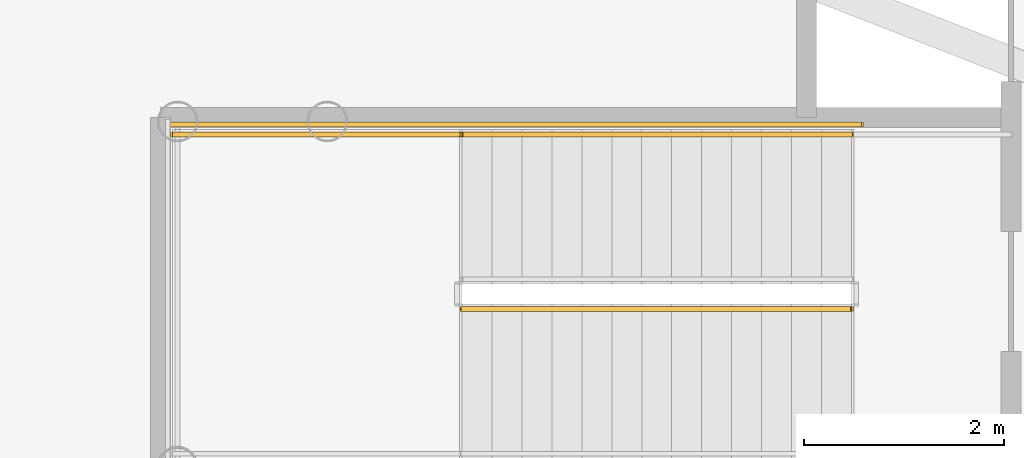
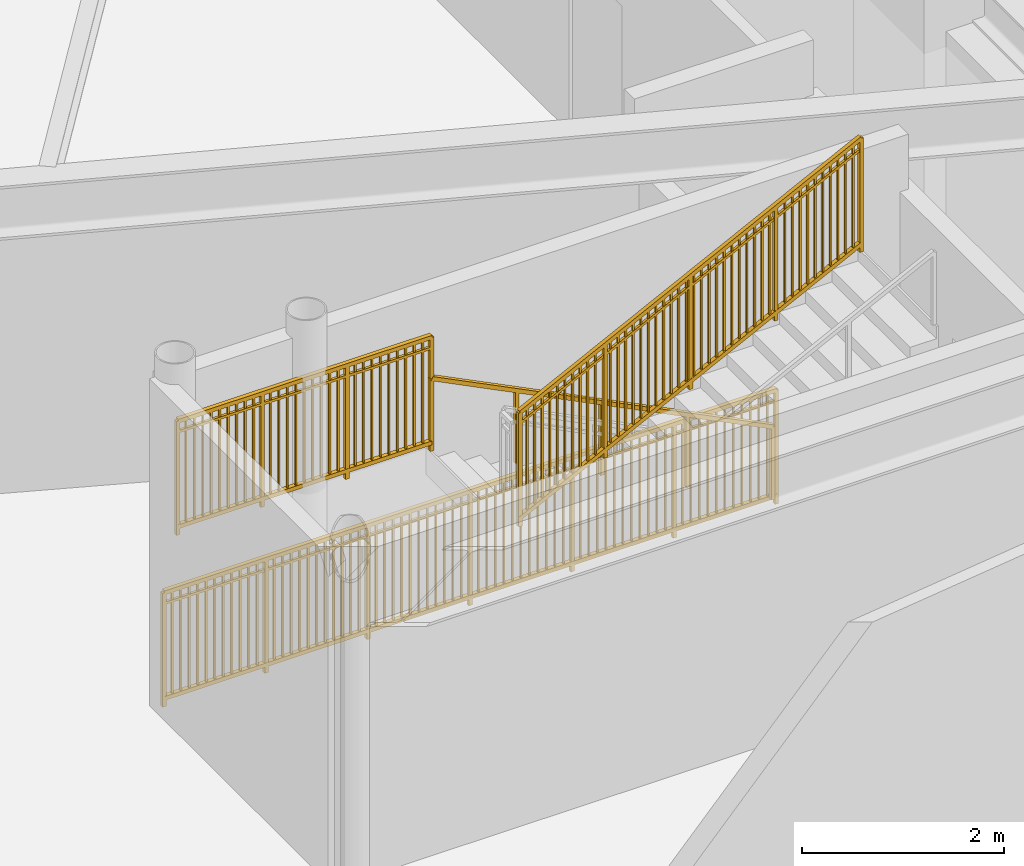
# One storey, part 20 of 29: 4 railings.
"""IFC4 building model written with IfcOpenShell, lengths in metres."""

import ifcopenshell
import ifcopenshell.guid

model = None  # the IFC model being written
_history = None  # IfcOwnerHistory: only IFC2X3 demands one
_inside = {}  # id of a spatial element -> (the spatial element, [elements in it])
_under = {}  # id of a project, library or spatial element -> (it, [spatial elements below it])
_declared = {}  # id of a project -> (the project, [libraries it declares])
_typed = {}  # id of a type object -> (the type object, [elements of that type])
_made_of = {}  # id of a material, layer set ... -> (it, [elements and type objects made of it])


def new_model(schema):
    """Start an empty IFC model of exactly this schema.

    Asked for "IFC4X3", IfcOpenShell would pick the latest addendum, in which some entities
    have other attributes; the version numbers below select the first issue.
    IFC2X3 requires an IfcOwnerHistory on every rooted entity: one is made here for all.
    """
    global model, _history
    if schema == "IFC4X3":
        model = ifcopenshell.file(schema_version=(4, 3, 0, 0))
    else:
        model = ifcopenshell.file(schema=schema)
    _inside.clear()
    _under.clear()
    _declared.clear()
    _typed.clear()
    _made_of.clear()
    _history = None
    if model.schema == "IFC2X3":
        org = make("IfcOrganization", Name="unknown")
        user = make(
            "IfcPersonAndOrganization",
            ThePerson=make("IfcPerson", FamilyName="unknown"),
            TheOrganization=org,
        )
        app = make(
            "IfcApplication",
            ApplicationDeveloper=org,
            Version="unknown",
            ApplicationFullName="unknown",
            ApplicationIdentifier="unknown",
        )
        _history = make(
            "IfcOwnerHistory",
            OwningUser=user,
            OwningApplication=app,
            ChangeAction="ADDED",
            CreationDate=0,
        )
    return model


def make(cls, **values):
    """One entity of the class cls with the attributes given. An attribute that is None is left unset."""
    return model.create_entity(
        cls, **{name: value for name, value in values.items() if value is not None}
    )


def rooted(cls, **values):
    """An entity with a GlobalId (a new one), such as an element, a storey or a relation."""
    return make(cls, GlobalId=ifcopenshell.guid.new(), OwnerHistory=_history, **values)


def si_unit(unit_type, name, prefix=None):
    """IfcSIUnit, for example si_unit("LENGTHUNIT", "METRE", prefix="MILLI")."""
    return make("IfcSIUnit", UnitType=unit_type, Prefix=prefix, Name=name)


def assignment(units):
    """IfcUnitAssignment: the units of a project."""
    return None if units is None else make("IfcUnitAssignment", Units=units)


def point(xyz):
    """IfcCartesianPoint."""
    return None if xyz is None else make("IfcCartesianPoint", Coordinates=xyz)


def direction(xyz):
    """IfcDirection."""
    return None if xyz is None else make("IfcDirection", DirectionRatios=xyz)


def frame(location, z_axis=None, x_axis=None):
    """IfcAxis2Placement3D, a coordinate frame: its origin and axes. An axis left out is left unset."""
    return make(
        "IfcAxis2Placement3D",
        Location=point(location),
        Axis=direction(z_axis),
        RefDirection=direction(x_axis),
    )


def frame_2d(location, x_axis=None):
    """IfcAxis2Placement2D, a coordinate frame in the plane: its origin and x axis."""
    return make(
        "IfcAxis2Placement2D", Location=point(location), RefDirection=direction(x_axis)
    )


def origin():
    """The frame at (0, 0, 0) with its axes left unset."""
    return frame((0.0, 0.0, 0.0))


def origin_2d():
    """The frame at (0, 0) in the plane with its x axis left unset."""
    return frame_2d((0.0, 0.0))


def place(relative_to, where):
    """IfcLocalPlacement: puts the frame where relative to a parent placement (None: the world)."""
    return make(
        "IfcLocalPlacement", PlacementRelTo=relative_to, RelativePlacement=where
    )


def context(
    kind, dimensions, precision=None, world=None, true_north=None, identifier=None
):
    """IfcGeometricRepresentationContext, for example the 3D "Model" context."""
    return make(
        "IfcGeometricRepresentationContext",
        ContextIdentifier=identifier,
        ContextType=kind,
        CoordinateSpaceDimension=dimensions,
        Precision=precision,
        WorldCoordinateSystem=world,
        TrueNorth=true_north,
    )


def subcontext(parent, identifier, kind, view, scale=None):
    """IfcGeometricRepresentationSubContext, for example "Body" below "Model"."""
    return make(
        "IfcGeometricRepresentationSubContext",
        ContextIdentifier=identifier,
        ContextType=kind,
        ParentContext=parent,
        TargetScale=scale,
        TargetView=view,
    )


def project(units=None, contexts=None):
    """IfcProject with its units and contexts."""
    return rooted(
        "IfcProject",
        Name="project",
        RepresentationContexts=contexts,
        UnitsInContext=assignment(units),
    )


def spatial(cls, under=None, at=None, **own):
    """A site, building, storey or space (cls), placed at a placement, below another one or the project."""
    s = rooted(cls, ObjectPlacement=at, **own)
    if under is not None:
        _under.setdefault(under.id(), (under, []))[1].append(s)
    return s


def profile(cls, at=None, kind="AREA", **sizes):
    """A parametric profile (cls). Its sizes go by their IFC names, for example OverallWidth=200.0."""
    return make(cls, ProfileType=kind, Position=at, **sizes)


def rectangle(**sizes):
    """IfcRectangleProfileDef."""
    return profile("IfcRectangleProfileDef", **sizes)


def extrude(swept, where, along, depth):
    """IfcExtrudedAreaSolid: the profile swept, set in the frame where, extruded along a direction by depth."""
    return make(
        "IfcExtrudedAreaSolid",
        SweptArea=swept,
        Position=where,
        ExtrudedDirection=direction(along),
        Depth=depth,
    )


def shape(context_of_items, identifier, shape_type, items):
    """IfcShapeRepresentation: the items that make up one representation, for example the "Body"."""
    return make(
        "IfcShapeRepresentation",
        ContextOfItems=context_of_items,
        RepresentationIdentifier=identifier,
        RepresentationType=shape_type,
        Items=items,
    )


def source(mapping_origin, context_of_items, identifier, shape_type, items):
    """IfcRepresentationMap: a shape defined once, which mapped items show again and again."""
    return make(
        "IfcRepresentationMap",
        MappingOrigin=mapping_origin,
        MappedRepresentation=shape(context_of_items, identifier, shape_type, items),
    )


def transform(
    local_origin,
    x_axis=None,
    y_axis=None,
    z_axis=None,
    scale=None,
    scale2=None,
    scale3=None,
    uniform=True,
):
    """IfcCartesianTransformationOperator3D, or its non-uniform kind. x_axis, y_axis, z_axis: its Axis1, 2, 3."""
    if uniform:
        return make(
            "IfcCartesianTransformationOperator3D",
            Axis1=direction(x_axis),
            Axis2=direction(y_axis),
            LocalOrigin=point(local_origin),
            Scale=scale,
            Axis3=direction(z_axis),
        )
    return make(
        "IfcCartesianTransformationOperator3DnonUniform",
        Axis1=direction(x_axis),
        Axis2=direction(y_axis),
        LocalOrigin=point(local_origin),
        Scale=scale,
        Axis3=direction(z_axis),
        Scale2=scale2,
        Scale3=scale3,
    )


def mapped(mapping_source, mapping_target):
    """IfcMappedItem: shows the shape of a source again, moved by a transform."""
    return make(
        "IfcMappedItem", MappingSource=mapping_source, MappingTarget=mapping_target
    )


def material(Name=None, Category=None):
    """IfcMaterial."""
    return make("IfcMaterial", Name=Name, Category=Category)


def made_of(thing, what):
    """Note that an element or type object is made of a material, layer set ...; save() writes the relation."""
    if what is not None:
        _made_of.setdefault(what.id(), (what, []))[1].append(thing)
    return thing


def type_object(cls, material=None, **own):
    """A type object (cls), such as IfcWallType, which elements share."""
    return made_of(rooted(cls, **own), material)


def element(
    cls,
    number,
    at=None,
    inside=None,
    cuts=None,
    type_object=None,
    material=None,
    context=None,
    identifier="Body",
    shape_type=None,
    held_by="IfcProductDefinitionShape",
    body=None,
    shapes=None,
    **own,
):
    """One element of the class cls, such as IfcWall. Its Tag is "e" and its number.

    at: its placement. inside: the storey or other place that contains it. cuts: it is an
    opening in that element (IfcRelVoidsElement). A single representation is given by context,
    identifier, shape_type and body (its items); several are given by shapes. held_by: the class
    of the entity that holds the representations. save() writes the other relations.
    """
    e = rooted(cls, Tag="e%d" % number, ObjectPlacement=at, **own)
    if body is not None:
        shapes = [shape(context, identifier, shape_type, body)]
    if shapes is not None:
        e.Representation = make(held_by, Representations=shapes)
    if inside is not None:
        _inside.setdefault(inside.id(), (inside, []))[1].append(e)
    if cuts is not None:
        rooted(
            "IfcRelVoidsElement", RelatingBuildingElement=cuts, RelatedOpeningElement=e
        )
    if type_object is not None:
        _typed.setdefault(type_object.id(), (type_object, []))[1].append(e)
    return made_of(e, material)


def aggregate(whole, parts):
    """IfcRelAggregates: a whole, such as a stair, and the parts it consists of."""
    return rooted("IfcRelAggregates", RelatingObject=whole, RelatedObjects=parts)


def save(model, path):
    """Write the relations noted so far, then the file.

    IfcRelAggregates (storeys below a building ...), IfcRelContainedInSpatialStructure (elements
    in a storey), IfcRelDefinesByType, IfcRelAssociatesMaterial and IfcRelDeclares: one each for
    every whole, place, type object, material and project.
    """
    for whole, parts in _under.values():
        aggregate(whole, parts)
    for where, things in _inside.values():
        rooted(
            "IfcRelContainedInSpatialStructure",
            RelatedElements=things,
            RelatingStructure=where,
        )
    for kind, things in _typed.values():
        rooted("IfcRelDefinesByType", RelatedObjects=things, RelatingType=kind)
    for what, things in _made_of.values():
        rooted("IfcRelAssociatesMaterial", RelatedObjects=things, RelatingMaterial=what)
    for by, libraries in _declared.values():
        rooted("IfcRelDeclares", RelatingContext=by, RelatedDefinitions=libraries)
    model.write(path)


model = new_model("IFC4")

# Units and contexts
model_context = context("Model", 3, precision=1e-05, world=origin(), true_north=direction((0.0, 1.0)))
body_context = subcontext(model_context, "Body", "Model", "MODEL_VIEW")
ifc_project = project(units=[si_unit("LENGTHUNIT", "METRE"), si_unit("AREAUNIT", "SQUARE_METRE"), si_unit("VOLUMEUNIT", "CUBIC_METRE"), si_unit("PLANEANGLEUNIT", "RADIAN"), si_unit("MASSUNIT", "GRAM", prefix="KILO")], contexts=[model_context])

# Site, building, storey
site_placement = place(None, origin())
site = spatial("IfcSite", under=ifc_project, at=site_placement, CompositionType="ELEMENT")
building_placement = place(site_placement, origin())
building = spatial("IfcBuilding", under=site, at=building_placement, Name="Linh Dai School and Residence Tower", CompositionType="ELEMENT")
storey_placement = place(building_placement, frame((0.0, 0.0, 45.0)))
storey = spatial("IfcBuildingStorey", under=building, at=storey_placement, Name="L10", CompositionType="ELEMENT", Elevation=45.0)

# Railings
ifc_material_1 = material(Name="Structural Steel S355JR", Category="steel")
railing_type_1 = type_object("IfcRailingType", Name="RL-ST-GUARD-1400", PredefinedType="GUARDRAIL", material=ifc_material_1)
shared_shape_1 = source(origin(), body_context, "Body", "SweptSolid", [
    extrude(rectangle(XDim=0.048095703125, YDim=0.048095703125, at=origin_2d()), frame((0.0, 0.0, 1.3759765625), z_axis=(-1.0, 0.0, 0.0), x_axis=(0.0, -1.0, 0.0)), (0.0, 0.0, 1.0), 2.89990234375),
    extrude(rectangle(XDim=0.048095703125, YDim=0.048095703125, at=origin_2d()), frame((0.0, 0.0, 0.10009765625), z_axis=(-1.0, 0.0, 0.0), x_axis=(0.0, -1.0, 0.0)), (0.0, 0.0, 1.0), 2.89990234375),
    extrude(rectangle(XDim=0.030029296875, YDim=0.030029296875, at=origin_2d()), frame((0.0, 0.0, 1.239990234375), z_axis=(-1.0, 0.0, 0.0), x_axis=(0.0, -1.0, 0.0)), (0.0, 0.0, 1.0), 2.89990234375),
    extrude(rectangle(XDim=0.02001953125, YDim=0.02001953125, at=origin_2d()), frame((-0.0966796875, 0.0, 0.10009765625)), (0.0, 0.0, 1.0), 1.251708984375),
    extrude(rectangle(XDim=0.02001953125, YDim=0.02001953125, at=origin_2d()), frame((-0.193359375, 0.0, 0.10009765625)), (0.0, 0.0, 1.0), 1.251708984375),
    extrude(rectangle(XDim=0.02001953125, YDim=0.02001953125, at=origin_2d()), frame((-0.2900390625, 0.0, 0.10009765625)), (0.0, 0.0, 1.0), 1.251708984375),
    extrude(rectangle(XDim=0.02001953125, YDim=0.02001953125, at=origin_2d()), frame((-0.38671875, 0.0, 0.10009765625)), (0.0, 0.0, 1.0), 1.251708984375),
    extrude(rectangle(XDim=0.02001953125, YDim=0.02001953125, at=origin_2d()), frame((-0.4833984375, 0.0, 0.10009765625)), (0.0, 0.0, 1.0), 1.251708984375),
    extrude(rectangle(XDim=0.02001953125, YDim=0.02001953125, at=origin_2d()), frame((-0.580078125, 0.0, 0.10009765625)), (0.0, 0.0, 1.0), 1.251708984375),
    extrude(rectangle(XDim=0.02001953125, YDim=0.02001953125, at=origin_2d()), frame((-0.6767578125, 0.0, 0.10009765625)), (0.0, 0.0, 1.0), 1.251708984375),
    extrude(rectangle(XDim=0.02001953125, YDim=0.02001953125, at=origin_2d()), frame((-0.773193359375, 0.0, 0.10009765625)), (0.0, 0.0, 1.0), 1.251708984375),
    extrude(rectangle(XDim=0.02001953125, YDim=0.02001953125, at=origin_2d()), frame((-0.869873046875, 0.0, 0.10009765625)), (0.0, 0.0, 1.0), 1.251708984375),
    extrude(rectangle(XDim=0.02001953125, YDim=0.02001953125, at=origin_2d()), frame((-1.063232421875, 0.0, 0.10009765625)), (0.0, 0.0, 1.0), 1.251708984375),
    extrude(rectangle(XDim=0.02001953125, YDim=0.02001953125, at=origin_2d()), frame((-1.159912109375, 0.0, 0.10009765625)), (0.0, 0.0, 1.0), 1.251708984375),
    extrude(rectangle(XDim=0.02001953125, YDim=0.02001953125, at=origin_2d()), frame((-1.256591796875, 0.0, 0.10009765625)), (0.0, 0.0, 1.0), 1.251708984375),
    extrude(rectangle(XDim=0.02001953125, YDim=0.02001953125, at=origin_2d()), frame((-1.353271484375, 0.0, 0.10009765625)), (0.0, 0.0, 1.0), 1.251708984375),
    extrude(rectangle(XDim=0.02001953125, YDim=0.02001953125, at=origin_2d()), frame((-1.449951171875, 0.0, 0.10009765625)), (0.0, 0.0, 1.0), 1.251708984375),
    extrude(rectangle(XDim=0.02001953125, YDim=0.02001953125, at=origin_2d()), frame((-1.546630859375, 0.0, 0.10009765625)), (0.0, 0.0, 1.0), 1.251708984375),
    extrude(rectangle(XDim=0.02001953125, YDim=0.02001953125, at=origin_2d()), frame((-1.643310546875, 0.0, 0.10009765625)), (0.0, 0.0, 1.0), 1.251708984375),
    extrude(rectangle(XDim=0.02001953125, YDim=0.02001953125, at=origin_2d()), frame((-1.739990234375, 0.0, 0.10009765625)), (0.0, 0.0, 1.0), 1.251708984375),
    extrude(rectangle(XDim=0.02001953125, YDim=0.02001953125, at=origin_2d()), frame((-1.836669921875, 0.0, 0.10009765625)), (0.0, 0.0, 1.0), 1.251708984375),
    extrude(rectangle(XDim=0.02001953125, YDim=0.02001953125, at=origin_2d()), frame((-2.030029296875, 0.0, 0.10009765625)), (0.0, 0.0, 1.0), 1.251708984375),
    extrude(rectangle(XDim=0.02001953125, YDim=0.02001953125, at=origin_2d()), frame((-2.126708984375, 0.0, 0.10009765625)), (0.0, 0.0, 1.0), 1.251708984375),
    extrude(rectangle(XDim=0.02001953125, YDim=0.02001953125, at=origin_2d()), frame((-2.22314453125, 0.0, 0.10009765625)), (0.0, 0.0, 1.0), 1.251708984375),
    extrude(rectangle(XDim=0.02001953125, YDim=0.02001953125, at=origin_2d()), frame((-2.31982421875, 0.0, 0.10009765625)), (0.0, 0.0, 1.0), 1.251708984375),
    extrude(rectangle(XDim=0.02001953125, YDim=0.02001953125, at=origin_2d()), frame((-2.41650390625, 0.0, 0.10009765625)), (0.0, 0.0, 1.0), 1.251708984375),
    extrude(rectangle(XDim=0.02001953125, YDim=0.02001953125, at=origin_2d()), frame((-2.51318359375, 0.0, 0.10009765625)), (0.0, 0.0, 1.0), 1.251708984375),
    extrude(rectangle(XDim=0.02001953125, YDim=0.02001953125, at=origin_2d()), frame((-2.60986328125, 0.0, 0.10009765625)), (0.0, 0.0, 1.0), 1.251708984375),
    extrude(rectangle(XDim=0.02001953125, YDim=0.02001953125, at=origin_2d()), frame((-2.70654296875, 0.0, 0.10009765625)), (0.0, 0.0, 1.0), 1.251708984375),
    extrude(rectangle(XDim=0.02001953125, YDim=0.02001953125, at=origin_2d()), frame((-2.80322265625, 0.0, 0.10009765625)), (0.0, 0.0, 1.0), 1.251708984375),
    extrude(rectangle(XDim=0.0419921875, YDim=0.0419921875, at=origin_2d()), origin(), (0.0, 0.0, 1.0), 1.3759765625),
    extrude(rectangle(XDim=0.0419921875, YDim=0.0419921875, at=origin_2d()), frame((-0.966552734375, 0.0, 0.0)), (0.0, 0.0, 1.0), 1.3759765625),
    extrude(rectangle(XDim=0.0419921875, YDim=0.0419921875, at=origin_2d()), frame((-1.933349609375, 0.0, 0.0)), (0.0, 0.0, 1.0), 1.3759765625),
    extrude(rectangle(XDim=0.0419921875, YDim=0.0419921875, at=origin_2d()), frame((-2.89990234375, 0.0, 0.0)), (0.0, 0.0, 1.0), 1.3759765625),
])
railing_1_placement = place(storey_placement, frame((18.5, 30.949951171875, 2.10009765625)))
element("IfcRailing", 1, at=railing_1_placement, inside=storey, type_object=railing_type_1, Name="L10 STS1 stair guard 3", PredefinedType="GUARDRAIL", context=body_context, shape_type="MappedRepresentation", body=[
    mapped(shared_shape_1, transform((0.0, 0.0, 0.0), x_axis=(1.0, 0.0, 0.0), y_axis=(0.0, 1.0, 0.0), z_axis=(0.0, 0.0, 1.0), scale=1.0)),
])
shared_shape_2 = source(origin(), body_context, "Body", "SweptSolid", [
    extrude(rectangle(XDim=0.048095703125, YDim=0.048095703125, at=origin_2d()), frame((0.0, 0.0, 1.3759765625), z_axis=(0.894427191, 0.0, 0.4472135955), x_axis=(0.0, 1.0, 0.0)), (0.0, 0.0, 1.0), 4.360107421875),
    extrude(rectangle(XDim=0.048095703125, YDim=0.048095703125, at=origin_2d()), frame((0.0, 0.0, 0.10009765625), z_axis=(0.894427191, 0.0, 0.4472135955), x_axis=(0.0, 1.0, 0.0)), (0.0, 0.0, 1.0), 4.360107421875),
    extrude(rectangle(XDim=0.030029296875, YDim=0.030029296875, at=origin_2d()), frame((0.0, 0.0, 1.239990234375), z_axis=(0.894427191, 0.0, 0.4472135955), x_axis=(0.0, 1.0, 0.0)), (0.0, 0.0, 1.0), 4.360107421875),
    extrude(rectangle(XDim=0.02001953125, YDim=0.02001953125, at=origin_2d()), frame((0.086669921875, 0.0, 0.143310546875)), (0.0, 0.0, 1.0), 1.251708984375),
    extrude(rectangle(XDim=0.02001953125, YDim=0.02001953125, at=origin_2d()), frame((0.17333984375, 0.0, 0.186767578125)), (0.0, 0.0, 1.0), 1.251708984375),
    extrude(rectangle(XDim=0.02001953125, YDim=0.02001953125, at=origin_2d()), frame((0.260009765625, 0.0, 0.22998046875)), (0.0, 0.0, 1.0), 1.251708984375),
    extrude(rectangle(XDim=0.02001953125, YDim=0.02001953125, at=origin_2d()), frame((0.3466796875, 0.0, 0.2734375)), (0.0, 0.0, 1.0), 1.251708984375),
    extrude(rectangle(XDim=0.02001953125, YDim=0.02001953125, at=origin_2d()), frame((0.433349609375, 0.0, 0.316650390625)), (0.0, 0.0, 1.0), 1.251708984375),
    extrude(rectangle(XDim=0.02001953125, YDim=0.02001953125, at=origin_2d()), frame((0.52001953125, 0.0, 0.360107421875)), (0.0, 0.0, 1.0), 1.251708984375),
    extrude(rectangle(XDim=0.02001953125, YDim=0.02001953125, at=origin_2d()), frame((0.606689453125, 0.0, 0.4033203125)), (0.0, 0.0, 1.0), 1.251708984375),
    extrude(rectangle(XDim=0.02001953125, YDim=0.02001953125, at=origin_2d()), frame((0.693359375, 0.0, 0.44677734375)), (0.0, 0.0, 1.0), 1.251708984375),
    extrude(rectangle(XDim=0.02001953125, YDim=0.02001953125, at=origin_2d()), frame((0.780029296875, 0.0, 0.489990234375)), (0.0, 0.0, 1.0), 1.251708984375),
    extrude(rectangle(XDim=0.02001953125, YDim=0.02001953125, at=origin_2d()), frame((0.86669921875, 0.0, 0.533447265625)), (0.0, 0.0, 1.0), 1.251708984375),
    extrude(rectangle(XDim=0.02001953125, YDim=0.02001953125, at=origin_2d()), frame((1.0400390625, 0.0, 0.6201171875)), (0.0, 0.0, 1.0), 1.251708984375),
    extrude(rectangle(XDim=0.02001953125, YDim=0.02001953125, at=origin_2d()), frame((1.126708984375, 0.0, 0.663330078125)), (0.0, 0.0, 1.0), 1.251708984375),
    extrude(rectangle(XDim=0.02001953125, YDim=0.02001953125, at=origin_2d()), frame((1.21337890625, 0.0, 0.706787109375)), (0.0, 0.0, 1.0), 1.251708984375),
    extrude(rectangle(XDim=0.02001953125, YDim=0.02001953125, at=origin_2d()), frame((1.300048828125, 0.0, 0.75)), (0.0, 0.0, 1.0), 1.251708984375),
    extrude(rectangle(XDim=0.02001953125, YDim=0.02001953125, at=origin_2d()), frame((1.38671875, 0.0, 0.79345703125)), (0.0, 0.0, 1.0), 1.251708984375),
    extrude(rectangle(XDim=0.02001953125, YDim=0.02001953125, at=origin_2d()), frame((1.473388671875, 0.0, 0.836669921875)), (0.0, 0.0, 1.0), 1.251708984375),
    extrude(rectangle(XDim=0.02001953125, YDim=0.02001953125, at=origin_2d()), frame((1.56005859375, 0.0, 0.880126953125)), (0.0, 0.0, 1.0), 1.251708984375),
    extrude(rectangle(XDim=0.02001953125, YDim=0.02001953125, at=origin_2d()), frame((1.646728515625, 0.0, 0.92333984375)), (0.0, 0.0, 1.0), 1.251708984375),
    extrude(rectangle(XDim=0.02001953125, YDim=0.02001953125, at=origin_2d()), frame((1.7333984375, 0.0, 0.966796875)), (0.0, 0.0, 1.0), 1.251708984375),
    extrude(rectangle(XDim=0.02001953125, YDim=0.02001953125, at=origin_2d()), frame((1.820068359375, 0.0, 1.010009765625)), (0.0, 0.0, 1.0), 1.251708984375),
    extrude(rectangle(XDim=0.02001953125, YDim=0.02001953125, at=origin_2d()), frame((1.90673828125, 0.0, 1.053466796875)), (0.0, 0.0, 1.0), 1.251708984375),
    extrude(rectangle(XDim=0.02001953125, YDim=0.02001953125, at=origin_2d()), frame((1.9931640625, 0.0, 1.0966796875)), (0.0, 0.0, 1.0), 1.251708984375),
    extrude(rectangle(XDim=0.02001953125, YDim=0.02001953125, at=origin_2d()), frame((2.079833984375, 0.0, 1.14013671875)), (0.0, 0.0, 1.0), 1.251708984375),
    extrude(rectangle(XDim=0.02001953125, YDim=0.02001953125, at=origin_2d()), frame((2.16650390625, 0.0, 1.183349609375)), (0.0, 0.0, 1.0), 1.251708984375),
    extrude(rectangle(XDim=0.02001953125, YDim=0.02001953125, at=origin_2d()), frame((2.253173828125, 0.0, 1.226806640625)), (0.0, 0.0, 1.0), 1.251708984375),
    extrude(rectangle(XDim=0.02001953125, YDim=0.02001953125, at=origin_2d()), frame((2.33984375, 0.0, 1.27001953125)), (0.0, 0.0, 1.0), 1.251708984375),
    extrude(rectangle(XDim=0.02001953125, YDim=0.02001953125, at=origin_2d()), frame((2.426513671875, 0.0, 1.3134765625)), (0.0, 0.0, 1.0), 1.251708984375),
    extrude(rectangle(XDim=0.02001953125, YDim=0.02001953125, at=origin_2d()), frame((2.51318359375, 0.0, 1.356689453125)), (0.0, 0.0, 1.0), 1.251708984375),
    extrude(rectangle(XDim=0.02001953125, YDim=0.02001953125, at=origin_2d()), frame((2.599853515625, 0.0, 1.400146484375)), (0.0, 0.0, 1.0), 1.251708984375),
    extrude(rectangle(XDim=0.02001953125, YDim=0.02001953125, at=origin_2d()), frame((2.6865234375, 0.0, 1.443359375)), (0.0, 0.0, 1.0), 1.251708984375),
    extrude(rectangle(XDim=0.02001953125, YDim=0.02001953125, at=origin_2d()), frame((2.773193359375, 0.0, 1.48681640625)), (0.0, 0.0, 1.0), 1.251708984375),
    extrude(rectangle(XDim=0.02001953125, YDim=0.02001953125, at=origin_2d()), frame((2.85986328125, 0.0, 1.530029296875)), (0.0, 0.0, 1.0), 1.251708984375),
    extrude(rectangle(XDim=0.02001953125, YDim=0.02001953125, at=origin_2d()), frame((3.033203125, 0.0, 1.61669921875)), (0.0, 0.0, 1.0), 1.251708984375),
    extrude(rectangle(XDim=0.02001953125, YDim=0.02001953125, at=origin_2d()), frame((3.119873046875, 0.0, 1.66015625)), (0.0, 0.0, 1.0), 1.251708984375),
    extrude(rectangle(XDim=0.02001953125, YDim=0.02001953125, at=origin_2d()), frame((3.20654296875, 0.0, 1.703369140625)), (0.0, 0.0, 1.0), 1.251708984375),
    extrude(rectangle(XDim=0.02001953125, YDim=0.02001953125, at=origin_2d()), frame((3.293212890625, 0.0, 1.746826171875)), (0.0, 0.0, 1.0), 1.251708984375),
    extrude(rectangle(XDim=0.02001953125, YDim=0.02001953125, at=origin_2d()), frame((3.3798828125, 0.0, 1.7900390625)), (0.0, 0.0, 1.0), 1.251708984375),
    extrude(rectangle(XDim=0.02001953125, YDim=0.02001953125, at=origin_2d()), frame((3.466552734375, 0.0, 1.83349609375)), (0.0, 0.0, 1.0), 1.251708984375),
    extrude(rectangle(XDim=0.02001953125, YDim=0.02001953125, at=origin_2d()), frame((3.55322265625, 0.0, 1.876708984375)), (0.0, 0.0, 1.0), 1.251708984375),
    extrude(rectangle(XDim=0.02001953125, YDim=0.02001953125, at=origin_2d()), frame((3.639892578125, 0.0, 1.920166015625)), (0.0, 0.0, 1.0), 1.251708984375),
    extrude(rectangle(XDim=0.02001953125, YDim=0.02001953125, at=origin_2d()), frame((3.7265625, 0.0, 1.96337890625)), (0.0, 0.0, 1.0), 1.251708984375),
    extrude(rectangle(XDim=0.02001953125, YDim=0.02001953125, at=origin_2d()), frame((3.813232421875, 0.0, 2.0068359375)), (0.0, 0.0, 1.0), 1.251708984375),
    extrude(rectangle(XDim=0.0419921875, YDim=0.0419921875, at=origin_2d()), origin(), (0.0, 0.0, 1.0), 1.3759765625),
    extrude(rectangle(XDim=0.0419921875, YDim=0.0419921875, at=origin_2d()), frame((0.97509765625, 0.0, 0.487548828125)), (0.0, 0.0, 1.0), 1.3759765625),
    extrude(rectangle(XDim=0.0419921875, YDim=0.0419921875, at=origin_2d()), frame((1.949951171875, 0.0, 0.97509765625)), (0.0, 0.0, 1.0), 1.3759765625),
    extrude(rectangle(XDim=0.0419921875, YDim=0.0419921875, at=origin_2d()), frame((2.9248046875, 0.0, 1.46240234375)), (0.0, 0.0, 1.0), 1.3759765625),
    extrude(rectangle(XDim=0.0419921875, YDim=0.0419921875, at=origin_2d()), frame((3.89990234375, 0.0, 1.949951171875)), (0.0, 0.0, 1.0), 1.3759765625),
])
railing_2_placement = place(storey_placement, frame((18.5, 29.199951171875, 2.25)))
element("IfcRailing", 2, at=railing_2_placement, inside=storey, type_object=railing_type_1, Name="L10 STS1 stair guard 6", PredefinedType="GUARDRAIL", context=body_context, shape_type="MappedRepresentation", body=[
    mapped(shared_shape_2, transform((0.0, 0.0, 0.0), x_axis=(1.0, 0.0, 0.0), y_axis=(0.0, 1.0, 0.0), z_axis=(0.0, 0.0, 1.0), scale=1.0)),
])
shared_shape_3 = source(origin(), body_context, "Body", "SweptSolid", [
    extrude(rectangle(XDim=0.048095703125, YDim=0.048095703125, at=origin_2d()), frame((0.0, 0.0, 1.3759765625), z_axis=(-1.0, 0.0, 0.0), x_axis=(0.0, -1.0, 0.0)), (0.0, 0.0, 1.0), 7.0),
    extrude(rectangle(XDim=0.048095703125, YDim=0.048095703125, at=origin_2d()), frame((0.0, 0.0, 0.10009765625), z_axis=(-1.0, 0.0, 0.0), x_axis=(0.0, -1.0, 0.0)), (0.0, 0.0, 1.0), 7.0),
    extrude(rectangle(XDim=0.030029296875, YDim=0.030029296875, at=origin_2d()), frame((0.0, 0.0, 1.239990234375), z_axis=(-1.0, 0.0, 0.0), x_axis=(0.0, -1.0, 0.0)), (0.0, 0.0, 1.0), 7.0),
    extrude(rectangle(XDim=0.02001953125, YDim=0.02001953125, at=origin_2d()), frame((-0.09716796875, 0.0, 0.10009765625)), (0.0, 0.0, 1.0), 1.251708984375),
    extrude(rectangle(XDim=0.02001953125, YDim=0.02001953125, at=origin_2d()), frame((-0.1943359375, 0.0, 0.10009765625)), (0.0, 0.0, 1.0), 1.251708984375),
    extrude(rectangle(XDim=0.02001953125, YDim=0.02001953125, at=origin_2d()), frame((-0.291748046875, 0.0, 0.10009765625)), (0.0, 0.0, 1.0), 1.251708984375),
    extrude(rectangle(XDim=0.02001953125, YDim=0.02001953125, at=origin_2d()), frame((-0.388916015625, 0.0, 0.10009765625)), (0.0, 0.0, 1.0), 1.251708984375),
    extrude(rectangle(XDim=0.02001953125, YDim=0.02001953125, at=origin_2d()), frame((-0.486083984375, 0.0, 0.10009765625)), (0.0, 0.0, 1.0), 1.251708984375),
    extrude(rectangle(XDim=0.02001953125, YDim=0.02001953125, at=origin_2d()), frame((-0.583251953125, 0.0, 0.10009765625)), (0.0, 0.0, 1.0), 1.251708984375),
    extrude(rectangle(XDim=0.02001953125, YDim=0.02001953125, at=origin_2d()), frame((-0.6806640625, 0.0, 0.10009765625)), (0.0, 0.0, 1.0), 1.251708984375),
    extrude(rectangle(XDim=0.02001953125, YDim=0.02001953125, at=origin_2d()), frame((-0.77783203125, 0.0, 0.10009765625)), (0.0, 0.0, 1.0), 1.251708984375),
    extrude(rectangle(XDim=0.02001953125, YDim=0.02001953125, at=origin_2d()), frame((-0.875, 0.0, 0.10009765625)), (0.0, 0.0, 1.0), 1.251708984375),
    extrude(rectangle(XDim=0.02001953125, YDim=0.02001953125, at=origin_2d()), frame((-0.97216796875, 0.0, 0.10009765625)), (0.0, 0.0, 1.0), 1.251708984375),
    extrude(rectangle(XDim=0.02001953125, YDim=0.02001953125, at=origin_2d()), frame((-1.0693359375, 0.0, 0.10009765625)), (0.0, 0.0, 1.0), 1.251708984375),
    extrude(rectangle(XDim=0.02001953125, YDim=0.02001953125, at=origin_2d()), frame((-1.263916015625, 0.0, 0.10009765625)), (0.0, 0.0, 1.0), 1.251708984375),
    extrude(rectangle(XDim=0.02001953125, YDim=0.02001953125, at=origin_2d()), frame((-1.361083984375, 0.0, 0.10009765625)), (0.0, 0.0, 1.0), 1.251708984375),
    extrude(rectangle(XDim=0.02001953125, YDim=0.02001953125, at=origin_2d()), frame((-1.458251953125, 0.0, 0.10009765625)), (0.0, 0.0, 1.0), 1.251708984375),
    extrude(rectangle(XDim=0.02001953125, YDim=0.02001953125, at=origin_2d()), frame((-1.5556640625, 0.0, 0.10009765625)), (0.0, 0.0, 1.0), 1.251708984375),
    extrude(rectangle(XDim=0.02001953125, YDim=0.02001953125, at=origin_2d()), frame((-1.65283203125, 0.0, 0.10009765625)), (0.0, 0.0, 1.0), 1.251708984375),
    extrude(rectangle(XDim=0.02001953125, YDim=0.02001953125, at=origin_2d()), frame((-1.75, 0.0, 0.10009765625)), (0.0, 0.0, 1.0), 1.251708984375),
    extrude(rectangle(XDim=0.02001953125, YDim=0.02001953125, at=origin_2d()), frame((-1.84716796875, 0.0, 0.10009765625)), (0.0, 0.0, 1.0), 1.251708984375),
    extrude(rectangle(XDim=0.02001953125, YDim=0.02001953125, at=origin_2d()), frame((-1.9443359375, 0.0, 0.10009765625)), (0.0, 0.0, 1.0), 1.251708984375),
    extrude(rectangle(XDim=0.02001953125, YDim=0.02001953125, at=origin_2d()), frame((-2.041748046875, 0.0, 0.10009765625)), (0.0, 0.0, 1.0), 1.251708984375),
    extrude(rectangle(XDim=0.02001953125, YDim=0.02001953125, at=origin_2d()), frame((-2.138916015625, 0.0, 0.10009765625)), (0.0, 0.0, 1.0), 1.251708984375),
    extrude(rectangle(XDim=0.02001953125, YDim=0.02001953125, at=origin_2d()), frame((-2.236083984375, 0.0, 0.10009765625)), (0.0, 0.0, 1.0), 1.251708984375),
    extrude(rectangle(XDim=0.02001953125, YDim=0.02001953125, at=origin_2d()), frame((-2.4306640625, 0.0, 0.10009765625)), (0.0, 0.0, 1.0), 1.251708984375),
    extrude(rectangle(XDim=0.02001953125, YDim=0.02001953125, at=origin_2d()), frame((-2.52783203125, 0.0, 0.10009765625)), (0.0, 0.0, 1.0), 1.251708984375),
    extrude(rectangle(XDim=0.02001953125, YDim=0.02001953125, at=origin_2d()), frame((-2.625, 0.0, 0.10009765625)), (0.0, 0.0, 1.0), 1.251708984375),
    extrude(rectangle(XDim=0.02001953125, YDim=0.02001953125, at=origin_2d()), frame((-2.72216796875, 0.0, 0.10009765625)), (0.0, 0.0, 1.0), 1.251708984375),
    extrude(rectangle(XDim=0.02001953125, YDim=0.02001953125, at=origin_2d()), frame((-2.8193359375, 0.0, 0.10009765625)), (0.0, 0.0, 1.0), 1.251708984375),
    extrude(rectangle(XDim=0.02001953125, YDim=0.02001953125, at=origin_2d()), frame((-2.916748046875, 0.0, 0.10009765625)), (0.0, 0.0, 1.0), 1.251708984375),
    extrude(rectangle(XDim=0.02001953125, YDim=0.02001953125, at=origin_2d()), frame((-3.013916015625, 0.0, 0.10009765625)), (0.0, 0.0, 1.0), 1.251708984375),
    extrude(rectangle(XDim=0.02001953125, YDim=0.02001953125, at=origin_2d()), frame((-3.111083984375, 0.0, 0.10009765625)), (0.0, 0.0, 1.0), 1.251708984375),
    extrude(rectangle(XDim=0.02001953125, YDim=0.02001953125, at=origin_2d()), frame((-3.208251953125, 0.0, 0.10009765625)), (0.0, 0.0, 1.0), 1.251708984375),
    extrude(rectangle(XDim=0.02001953125, YDim=0.02001953125, at=origin_2d()), frame((-3.3056640625, 0.0, 0.10009765625)), (0.0, 0.0, 1.0), 1.251708984375),
    extrude(rectangle(XDim=0.02001953125, YDim=0.02001953125, at=origin_2d()), frame((-3.40283203125, 0.0, 0.10009765625)), (0.0, 0.0, 1.0), 1.251708984375),
    extrude(rectangle(XDim=0.02001953125, YDim=0.02001953125, at=origin_2d()), frame((-3.59716796875, 0.0, 0.10009765625)), (0.0, 0.0, 1.0), 1.251708984375),
    extrude(rectangle(XDim=0.02001953125, YDim=0.02001953125, at=origin_2d()), frame((-3.6943359375, 0.0, 0.10009765625)), (0.0, 0.0, 1.0), 1.251708984375),
    extrude(rectangle(XDim=0.02001953125, YDim=0.02001953125, at=origin_2d()), frame((-3.791748046875, 0.0, 0.10009765625)), (0.0, 0.0, 1.0), 1.251708984375),
    extrude(rectangle(XDim=0.02001953125, YDim=0.02001953125, at=origin_2d()), frame((-3.888916015625, 0.0, 0.10009765625)), (0.0, 0.0, 1.0), 1.251708984375),
    extrude(rectangle(XDim=0.02001953125, YDim=0.02001953125, at=origin_2d()), frame((-3.986083984375, 0.0, 0.10009765625)), (0.0, 0.0, 1.0), 1.251708984375),
    extrude(rectangle(XDim=0.02001953125, YDim=0.02001953125, at=origin_2d()), frame((-4.083251953125, 0.0, 0.10009765625)), (0.0, 0.0, 1.0), 1.251708984375),
    extrude(rectangle(XDim=0.02001953125, YDim=0.02001953125, at=origin_2d()), frame((-4.1806640625, 0.0, 0.10009765625)), (0.0, 0.0, 1.0), 1.251708984375),
    extrude(rectangle(XDim=0.02001953125, YDim=0.02001953125, at=origin_2d()), frame((-4.27783203125, 0.0, 0.10009765625)), (0.0, 0.0, 1.0), 1.251708984375),
    extrude(rectangle(XDim=0.02001953125, YDim=0.02001953125, at=origin_2d()), frame((-4.375, 0.0, 0.10009765625)), (0.0, 0.0, 1.0), 1.251708984375),
    extrude(rectangle(XDim=0.02001953125, YDim=0.02001953125, at=origin_2d()), frame((-4.47216796875, 0.0, 0.10009765625)), (0.0, 0.0, 1.0), 1.251708984375),
    extrude(rectangle(XDim=0.02001953125, YDim=0.02001953125, at=origin_2d()), frame((-4.5693359375, 0.0, 0.10009765625)), (0.0, 0.0, 1.0), 1.251708984375),
    extrude(rectangle(XDim=0.02001953125, YDim=0.02001953125, at=origin_2d()), frame((-4.763916015625, 0.0, 0.10009765625)), (0.0, 0.0, 1.0), 1.251708984375),
    extrude(rectangle(XDim=0.02001953125, YDim=0.02001953125, at=origin_2d()), frame((-4.861083984375, 0.0, 0.10009765625)), (0.0, 0.0, 1.0), 1.251708984375),
    extrude(rectangle(XDim=0.02001953125, YDim=0.02001953125, at=origin_2d()), frame((-4.958251953125, 0.0, 0.10009765625)), (0.0, 0.0, 1.0), 1.251708984375),
    extrude(rectangle(XDim=0.02001953125, YDim=0.02001953125, at=origin_2d()), frame((-5.0556640625, 0.0, 0.10009765625)), (0.0, 0.0, 1.0), 1.251708984375),
    extrude(rectangle(XDim=0.02001953125, YDim=0.02001953125, at=origin_2d()), frame((-5.15283203125, 0.0, 0.10009765625)), (0.0, 0.0, 1.0), 1.251708984375),
    extrude(rectangle(XDim=0.02001953125, YDim=0.02001953125, at=origin_2d()), frame((-5.25, 0.0, 0.10009765625)), (0.0, 0.0, 1.0), 1.251708984375),
    extrude(rectangle(XDim=0.02001953125, YDim=0.02001953125, at=origin_2d()), frame((-5.34716796875, 0.0, 0.10009765625)), (0.0, 0.0, 1.0), 1.251708984375),
    extrude(rectangle(XDim=0.02001953125, YDim=0.02001953125, at=origin_2d()), frame((-5.4443359375, 0.0, 0.10009765625)), (0.0, 0.0, 1.0), 1.251708984375),
    extrude(rectangle(XDim=0.02001953125, YDim=0.02001953125, at=origin_2d()), frame((-5.541748046875, 0.0, 0.10009765625)), (0.0, 0.0, 1.0), 1.251708984375),
    extrude(rectangle(XDim=0.02001953125, YDim=0.02001953125, at=origin_2d()), frame((-5.638916015625, 0.0, 0.10009765625)), (0.0, 0.0, 1.0), 1.251708984375),
    extrude(rectangle(XDim=0.02001953125, YDim=0.02001953125, at=origin_2d()), frame((-5.736083984375, 0.0, 0.10009765625)), (0.0, 0.0, 1.0), 1.251708984375),
    extrude(rectangle(XDim=0.02001953125, YDim=0.02001953125, at=origin_2d()), frame((-5.9306640625, 0.0, 0.10009765625)), (0.0, 0.0, 1.0), 1.251708984375),
    extrude(rectangle(XDim=0.02001953125, YDim=0.02001953125, at=origin_2d()), frame((-6.02783203125, 0.0, 0.10009765625)), (0.0, 0.0, 1.0), 1.251708984375),
    extrude(rectangle(XDim=0.02001953125, YDim=0.02001953125, at=origin_2d()), frame((-6.125, 0.0, 0.10009765625)), (0.0, 0.0, 1.0), 1.251708984375),
    extrude(rectangle(XDim=0.02001953125, YDim=0.02001953125, at=origin_2d()), frame((-6.22216796875, 0.0, 0.10009765625)), (0.0, 0.0, 1.0), 1.251708984375),
    extrude(rectangle(XDim=0.02001953125, YDim=0.02001953125, at=origin_2d()), frame((-6.3193359375, 0.0, 0.10009765625)), (0.0, 0.0, 1.0), 1.251708984375),
    extrude(rectangle(XDim=0.02001953125, YDim=0.02001953125, at=origin_2d()), frame((-6.416748046875, 0.0, 0.10009765625)), (0.0, 0.0, 1.0), 1.251708984375),
    extrude(rectangle(XDim=0.02001953125, YDim=0.02001953125, at=origin_2d()), frame((-6.513916015625, 0.0, 0.10009765625)), (0.0, 0.0, 1.0), 1.251708984375),
    extrude(rectangle(XDim=0.02001953125, YDim=0.02001953125, at=origin_2d()), frame((-6.611083984375, 0.0, 0.10009765625)), (0.0, 0.0, 1.0), 1.251708984375),
    extrude(rectangle(XDim=0.02001953125, YDim=0.02001953125, at=origin_2d()), frame((-6.708251953125, 0.0, 0.10009765625)), (0.0, 0.0, 1.0), 1.251708984375),
    extrude(rectangle(XDim=0.02001953125, YDim=0.02001953125, at=origin_2d()), frame((-6.8056640625, 0.0, 0.10009765625)), (0.0, 0.0, 1.0), 1.251708984375),
    extrude(rectangle(XDim=0.02001953125, YDim=0.02001953125, at=origin_2d()), frame((-6.90283203125, 0.0, 0.10009765625)), (0.0, 0.0, 1.0), 1.251708984375),
    extrude(rectangle(XDim=0.0419921875, YDim=0.0419921875, at=origin_2d()), origin(), (0.0, 0.0, 1.0), 1.3759765625),
    extrude(rectangle(XDim=0.0419921875, YDim=0.0419921875, at=origin_2d()), frame((-1.166748046875, 0.0, 0.0)), (0.0, 0.0, 1.0), 1.3759765625),
    extrude(rectangle(XDim=0.0419921875, YDim=0.0419921875, at=origin_2d()), frame((-2.333251953125, 0.0, 0.0)), (0.0, 0.0, 1.0), 1.3759765625),
    extrude(rectangle(XDim=0.0419921875, YDim=0.0419921875, at=origin_2d()), frame((-3.5, 0.0, 0.0)), (0.0, 0.0, 1.0), 1.3759765625),
    extrude(rectangle(XDim=0.0419921875, YDim=0.0419921875, at=origin_2d()), frame((-4.666748046875, 0.0, 0.0)), (0.0, 0.0, 1.0), 1.3759765625),
    extrude(rectangle(XDim=0.0419921875, YDim=0.0419921875, at=origin_2d()), frame((-5.833251953125, 0.0, 0.0)), (0.0, 0.0, 1.0), 1.3759765625),
    extrude(rectangle(XDim=0.0419921875, YDim=0.0419921875, at=origin_2d()), frame((-7.0, 0.0, 0.0)), (0.0, 0.0, 1.0), 1.3759765625),
])
railing_3_placement = place(storey_placement, frame((22.5, 31.050048828125, 0.0)))
element("IfcRailing", 3, at=railing_3_placement, inside=storey, type_object=railing_type_1, Name="L10 STS1 stair guard 10", PredefinedType="GUARDRAIL", context=body_context, shape_type="MappedRepresentation", body=[
    mapped(shared_shape_3, transform((0.0, 0.0, 0.0), x_axis=(1.0, 0.0, 0.0), y_axis=(0.0, 1.0, 0.0), z_axis=(0.0, 0.0, 1.0), scale=1.0)),
])
ifc_material_2 = material(Name="Brushed Stainless Steel Handrail", Category="steel")
railing_type_2 = type_object("IfcRailingType", Name="RL-ST-HANDRAIL-900", PredefinedType="HANDRAIL", material=ifc_material_2)
shared_shape_4 = source(origin(), body_context, "Body", "SweptSolid", [
    extrude(rectangle(XDim=0.048095703125, YDim=0.048095703125, at=origin_2d()), frame((0.0, 0.0, 0.8759765625), z_axis=(-0.894404793364, 0.0, 0.447258387967), x_axis=(0.0, -1.0, 0.0)), (0.0, 0.0, 1.0), 4.3603515625),
    extrude(rectangle(XDim=0.0419921875, YDim=0.0419921875, at=origin_2d()), origin(), (0.0, 0.0, 1.0), 0.8759765625),
    extrude(rectangle(XDim=0.0419921875, YDim=0.0419921875, at=origin_2d()), frame((-0.97509765625, 0.0, 0.487548828125)), (0.0, 0.0, 1.0), 0.8759765625),
    extrude(rectangle(XDim=0.0419921875, YDim=0.0419921875, at=origin_2d()), frame((-1.949951171875, 0.0, 0.97509765625)), (0.0, 0.0, 1.0), 0.8759765625),
    extrude(rectangle(XDim=0.0419921875, YDim=0.0419921875, at=origin_2d()), frame((-2.9248046875, 0.0, 1.462646484375)), (0.0, 0.0, 1.0), 0.8759765625),
    extrude(rectangle(XDim=0.0419921875, YDim=0.0419921875, at=origin_2d()), frame((-3.89990234375, 0.0, 1.9501953125)), (0.0, 0.0, 1.0), 0.8759765625),
])
railing_4_placement = place(storey_placement, frame((22.39990234375, 30.949951171875, 0.14990234375)))
element("IfcRailing", 4, at=railing_4_placement, inside=storey, type_object=railing_type_2, Name="L10 STS1 stair handrail 1", PredefinedType="HANDRAIL", context=body_context, shape_type="MappedRepresentation", body=[
    mapped(shared_shape_4, transform((0.0, 0.0, 0.0), x_axis=(1.0, 0.0, 0.0), y_axis=(0.0, 1.0, 0.0), z_axis=(0.0, 0.0, 1.0), scale=1.0)),
])

save(model, "model.ifc")
